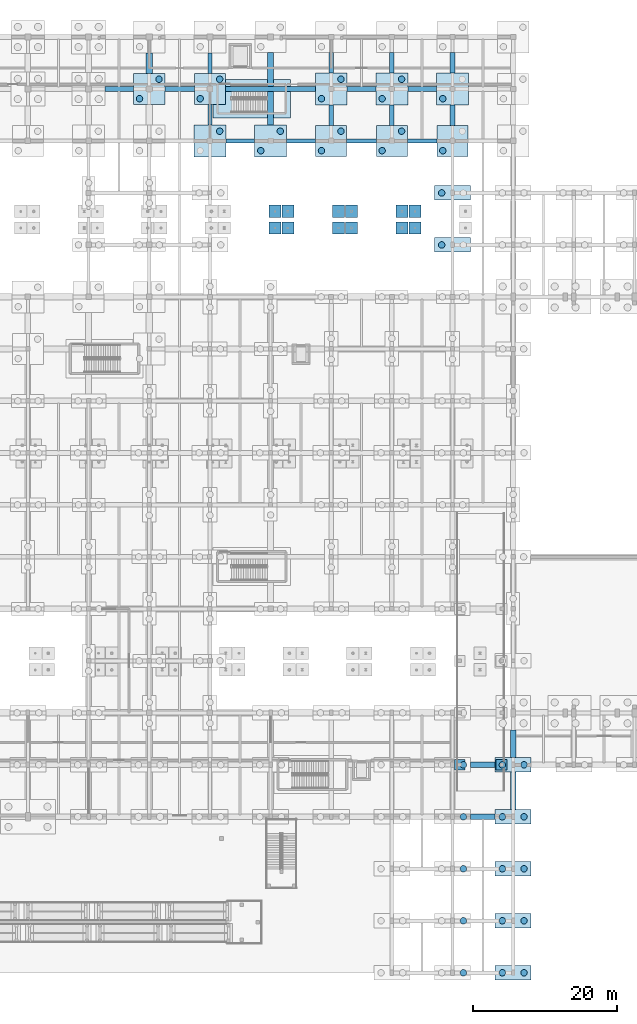
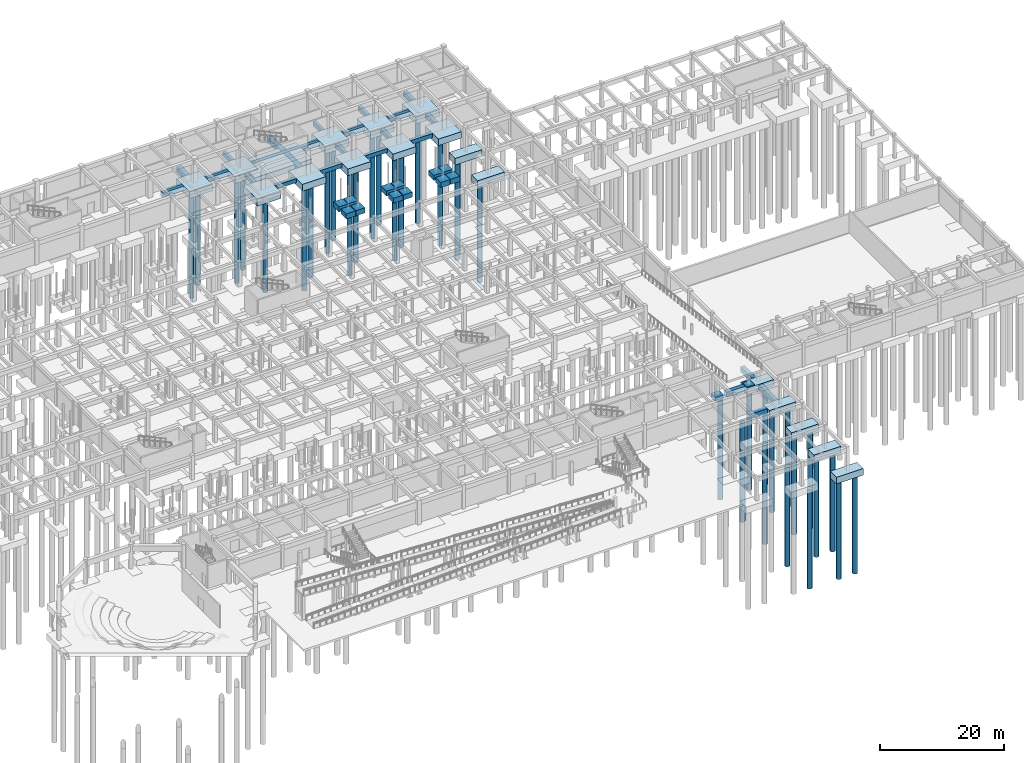
# One storey, part 12 of 80: 55 footings, 34 piles.
"""IFC4 building model written with IfcOpenShell, lengths in metres."""

from ifc_helpers import new_model, si_unit, direction, frame, origin, origin_2d, place, context, subcontext, project, spatial, polyline, rectangle, circle, outline, extrude, material, material_profile, profile_set, type_object, element, save


model = new_model("IFC4")

# Units and contexts
model_context = context("Model", 3, precision=1e-05, world=origin(), true_north=direction((0.0, 1.0)))
body_context = subcontext(model_context, "Body", "Model", "MODEL_VIEW")
ifc_project = project(units=[si_unit("LENGTHUNIT", "METRE"), si_unit("AREAUNIT", "SQUARE_METRE"), si_unit("VOLUMEUNIT", "CUBIC_METRE"), si_unit("PLANEANGLEUNIT", "RADIAN"), si_unit("MASSUNIT", "GRAM", prefix="KILO")], contexts=[model_context])

# Site, building, storey
site_placement = place(None, origin())
site = spatial("IfcSite", under=ifc_project, at=site_placement, CompositionType="ELEMENT")
building_placement = place(site_placement, origin())
building = spatial("IfcBuilding", under=site, at=building_placement, Name="Malvenik Polytechnic", CompositionType="ELEMENT")
storey_placement = place(building_placement, frame((0.0, 0.0, -4.800048828125)))
storey = spatial("IfcBuildingStorey", under=building, at=storey_placement, Name="B1", CompositionType="ELEMENT", Elevation=-4.800048828125)

# Footings
ifc_material = material(Name="Concrete C35/45", Category="concrete")
footing_type_1 = type_object("IfcFootingType", Name="STR-PC-2000x5000x1300", PredefinedType="PILE_CAP", material=ifc_material)
for number, where, z_axis, x_axis, name in (
    (1, (126.0, 100.800048828125, -1.2998046875), (0.0, 0.0, 1.0), (1.0, 0.0, 0.0), "Pile Cap PC-03 #205"),
    (2, (126.0, 108.0, -1.2998046875), (0.0, 0.0, 1.0), (1.0, 0.0, 0.0), "Pile Cap PC-03 #206"),
    (3, (134.39990234375, 0.0, -1.2998046875), (0.0, 0.0, 1.0), (1.0, 0.0, 0.0), "Pile Cap PC-03 #210"),
    (4, (134.39990234375, 7.199951171875, -1.2998046875), (0.0, 0.0, 1.0), (1.0, 0.0, 0.0), "Pile Cap PC-03 #211"),
    (5, (134.39990234375, 14.39990234375, -1.2998046875), (0.0, 0.0, 1.0), (1.0, 0.0, 0.0), "Pile Cap PC-03 #212"),
    (6, (134.39990234375, 21.60009765625, -1.2998046875), (0.0, 0.0, 1.0), (1.0, 0.0, 0.0), "Pile Cap PC-03 #213"),
    (7, (134.39990234375, 28.800048828125, -1.2998046875), (0.0, 0.0, 1.0), (1.0, 0.0, 0.0), "Pile Cap PC-03 #214"),
):
    element("IfcFooting", number, at=place(storey_placement, frame(where, z_axis=z_axis, x_axis=x_axis)), inside=storey, type_object=footing_type_1, Name=name, PredefinedType="PILE_CAP", context=body_context, shape_type="SweptSolid", body=[
        extrude(rectangle(XDim=5.0, YDim=2.0, at=origin_2d()), origin(), (0.0, 0.0, 1.0), 1.300048828125),
    ])
footing_type_2 = type_object("IfcFootingType", Name="STR-PC-COMB-35", PredefinedType="PILE_CAP", material=ifc_material)
footing_1_placement = place(storey_placement, frame((84.0, 122.39990234375, -1.2998046875), z_axis=(0.0, 0.0, 1.0), x_axis=(1.0, 0.0, 0.0)))
element("IfcFooting", 8, at=footing_1_placement, inside=storey, type_object=footing_type_2, Name="Pile Cap PCC-35 #135", PredefinedType="PILE_CAP", context=body_context, shape_type="SweptSolid", body=[
    extrude(rectangle(XDim=4.300048828125, YDim=4.300048828125, at=origin_2d()), origin(), (0.0, 0.0, 1.0), 1.300048828125),
])
footing_type_3 = type_object("IfcFootingType", Name="STR-PC-COMB-37", PredefinedType="PILE_CAP", material=ifc_material)
footing_2_placement = place(storey_placement, frame((92.39990234375, 115.199951171875, -1.35009765625), z_axis=(0.0, 0.0, 1.0), x_axis=(1.0, 0.0, 0.0)))
element("IfcFooting", 9, at=footing_2_placement, inside=storey, type_object=footing_type_3, Name="Pile Cap PCC-37 #150", PredefinedType="PILE_CAP", context=body_context, shape_type="SweptSolid", body=[
    extrude(rectangle(XDim=4.39990234375, YDim=4.39990234375, at=origin_2d()), origin(), (0.0, 0.0, 1.0), 1.35009765625),
])
footing_type_4 = type_object("IfcFootingType", Name="STR-PC-COMB-38", PredefinedType="PILE_CAP", material=ifc_material)
footing_3_placement = place(storey_placement, frame((92.39990234375, 122.39990234375, -1.2998046875), z_axis=(0.0, 0.0, 1.0), x_axis=(1.0, 0.0, 0.0)))
element("IfcFooting", 10, at=footing_3_placement, inside=storey, type_object=footing_type_4, Name="Pile Cap PCC-38 #151", PredefinedType="PILE_CAP", context=body_context, shape_type="SweptSolid", body=[
    extrude(rectangle(XDim=4.300048828125, YDim=4.300048828125, at=origin_2d()), origin(), (0.0, 0.0, 1.0), 1.300048828125),
])
footing_type_5 = type_object("IfcFootingType", Name="STR-PC-COMB-40", PredefinedType="PILE_CAP", material=ifc_material)
footing_4_placement = place(storey_placement, frame((100.800048828125, 115.199951171875, -1.35009765625), z_axis=(0.0, 0.0, 1.0), x_axis=(1.0, 0.0, 0.0)))
element("IfcFooting", 11, at=footing_4_placement, inside=storey, type_object=footing_type_5, Name="Pile Cap PCC-40 #162", PredefinedType="PILE_CAP", context=body_context, shape_type="SweptSolid", body=[
    extrude(rectangle(XDim=4.39990234375, YDim=4.39990234375, at=origin_2d()), origin(), (0.0, 0.0, 1.0), 1.35009765625),
])
footing_type_6 = type_object("IfcFootingType", Name="STR-PC-COMB-42", PredefinedType="PILE_CAP", material=ifc_material)
footing_5_placement = place(storey_placement, frame((109.199951171875, 115.199951171875, -1.2998046875), z_axis=(0.0, 0.0, 1.0), x_axis=(1.0, 0.0, 0.0)))
element("IfcFooting", 12, at=footing_5_placement, inside=storey, type_object=footing_type_6, Name="Pile Cap PCC-42 #173", PredefinedType="PILE_CAP", context=body_context, shape_type="SweptSolid", body=[
    extrude(rectangle(XDim=4.300048828125, YDim=4.300048828125, at=origin_2d()), origin(), (0.0, 0.0, 1.0), 1.300048828125),
])
footing_type_7 = type_object("IfcFootingType", Name="STR-PC-COMB-43", PredefinedType="PILE_CAP", material=ifc_material)
footing_6_placement = place(storey_placement, frame((109.199951171875, 122.39990234375, -1.35009765625), z_axis=(0.0, 0.0, 1.0), x_axis=(1.0, 0.0, 0.0)))
element("IfcFooting", 13, at=footing_6_placement, inside=storey, type_object=footing_type_7, Name="Pile Cap PCC-43 #174", PredefinedType="PILE_CAP", context=body_context, shape_type="SweptSolid", body=[
    extrude(rectangle(XDim=4.39990234375, YDim=4.39990234375, at=origin_2d()), origin(), (0.0, 0.0, 1.0), 1.35009765625),
])
footing_type_8 = type_object("IfcFootingType", Name="STR-PC-COMB-45", PredefinedType="PILE_CAP", material=ifc_material)
footing_7_placement = place(storey_placement, frame((117.60009765625, 115.199951171875, -1.2998046875), z_axis=(0.0, 0.0, 1.0), x_axis=(1.0, 0.0, 0.0)))
element("IfcFooting", 14, at=footing_7_placement, inside=storey, type_object=footing_type_8, Name="Pile Cap PCC-45 #189", PredefinedType="PILE_CAP", context=body_context, shape_type="SweptSolid", body=[
    extrude(rectangle(XDim=4.300048828125, YDim=4.300048828125, at=origin_2d()), origin(), (0.0, 0.0, 1.0), 1.300048828125),
])
footing_type_9 = type_object("IfcFootingType", Name="STR-PC-COMB-46", PredefinedType="PILE_CAP", material=ifc_material)
footing_8_placement = place(storey_placement, frame((117.60009765625, 122.39990234375, -1.35009765625), z_axis=(0.0, 0.0, 1.0), x_axis=(1.0, 0.0, 0.0)))
element("IfcFooting", 15, at=footing_8_placement, inside=storey, type_object=footing_type_9, Name="Pile Cap PCC-46 #190", PredefinedType="PILE_CAP", context=body_context, shape_type="SweptSolid", body=[
    extrude(rectangle(XDim=4.39990234375, YDim=4.39990234375, at=origin_2d()), origin(), (0.0, 0.0, 1.0), 1.35009765625),
])
footing_type_10 = type_object("IfcFootingType", Name="STR-PC-COMB-48", PredefinedType="PILE_CAP", material=ifc_material)
footing_9_placement = place(storey_placement, frame((126.0, 115.199951171875, -1.2998046875), z_axis=(0.0, 0.0, 1.0), x_axis=(1.0, 0.0, 0.0)))
element("IfcFooting", 16, at=footing_9_placement, inside=storey, type_object=footing_type_10, Name="Pile Cap PCC-48 #207", PredefinedType="PILE_CAP", context=body_context, shape_type="SweptSolid", body=[
    extrude(rectangle(XDim=4.300048828125, YDim=4.300048828125, at=origin_2d()), origin(), (0.0, 0.0, 1.0), 1.300048828125),
])
footing_type_11 = type_object("IfcFootingType", Name="STR-PC-COMB-49", PredefinedType="PILE_CAP", material=ifc_material)
footing_10_placement = place(storey_placement, frame((126.0, 122.39990234375, -1.35009765625), z_axis=(0.0, 0.0, 1.0), x_axis=(1.0, 0.0, 0.0)))
element("IfcFooting", 17, at=footing_10_placement, inside=storey, type_object=footing_type_11, Name="Pile Cap PCC-49 #208", PredefinedType="PILE_CAP", context=body_context, shape_type="SweptSolid", body=[
    extrude(rectangle(XDim=4.39990234375, YDim=4.39990234375, at=origin_2d()), origin(), (0.0, 0.0, 1.0), 1.35009765625),
])

# Piles
ifc_material_profile_1 = material_profile(ifc_material, circle(Radius=0.449951171875, at=origin_2d()), Name="BORED PILE D900")
ifc_profile_set_1 = profile_set([ifc_material_profile_1], Name="Concrete C35/45")
pile_type_1 = type_object("IfcPileType", Name="STR-PL-D900-195", PredefinedType="BORED", material=ifc_profile_set_1)
for number, where, z_axis, x_axis, name in (
    (18, (127.5, 0.0, -1.199951171875), (0.0, 0.0, -1.0), (1.0, 0.0, 0.0), "Bored Pile PL-01 #424"),
    (19, (127.5, 7.199951171875, -1.199951171875), (0.0, 0.0, -1.0), (1.0, 0.0, 0.0), "Bored Pile PL-01 #426"),
    (20, (127.5, 14.39990234375, -1.199951171875), (0.0, 0.0, -1.0), (1.0, 0.0, 0.0), "Bored Pile PL-01 #428"),
    (21, (127.5, 21.60009765625, -1.199951171875), (0.0, 0.0, -1.0), (1.0, 0.0, 0.0), "Bored Pile PL-01 #430"),
    (22, (127.5, 28.800048828125, -1.199951171875), (0.0, 0.0, -1.0), (1.0, 0.0, 0.0), "Bored Pile PL-01 #432"),
    (23, (124.5, 100.800048828125, -1.199951171875), (0.0, 0.0, -1.0), (1.0, 0.0, 0.0), "Bored Pile PL-01 #449"),
    (24, (124.5, 108.0, -1.199951171875), (0.0, 0.0, -1.0), (1.0, 0.0, 0.0), "Bored Pile PL-01 #451"),
    (25, (132.89990234375, 0.0, -1.199951171875), (0.0, 0.0, -1.0), (1.0, 0.0, 0.0), "Bored Pile PL-01 #459"),
    (26, (135.89990234375, 0.0, -1.199951171875), (0.0, 0.0, -1.0), (1.0, 0.0, 0.0), "Bored Pile PL-01 #460"),
    (27, (132.89990234375, 7.199951171875, -1.199951171875), (0.0, 0.0, -1.0), (1.0, 0.0, 0.0), "Bored Pile PL-01 #461"),
    (28, (135.89990234375, 7.199951171875, -1.199951171875), (0.0, 0.0, -1.0), (1.0, 0.0, 0.0), "Bored Pile PL-01 #462"),
    (29, (132.89990234375, 14.39990234375, -1.199951171875), (0.0, 0.0, -1.0), (1.0, 0.0, 0.0), "Bored Pile PL-01 #463"),
    (30, (135.89990234375, 14.39990234375, -1.199951171875), (0.0, 0.0, -1.0), (1.0, 0.0, 0.0), "Bored Pile PL-01 #464"),
    (31, (132.89990234375, 21.60009765625, -1.199951171875), (0.0, 0.0, -1.0), (1.0, 0.0, 0.0), "Bored Pile PL-01 #465"),
    (32, (135.89990234375, 21.60009765625, -1.199951171875), (0.0, 0.0, -1.0), (1.0, 0.0, 0.0), "Bored Pile PL-01 #466"),
    (33, (132.89990234375, 28.800048828125, -1.199951171875), (0.0, 0.0, -1.0), (1.0, 0.0, 0.0), "Bored Pile PL-01 #467"),
    (34, (135.89990234375, 28.800048828125, -1.199951171875), (0.0, 0.0, -1.0), (1.0, 0.0, 0.0), "Bored Pile PL-01 #468"),
):
    element("IfcPile", number, at=place(storey_placement, frame(where, z_axis=z_axis, x_axis=x_axis)), inside=storey, type_object=pile_type_1, Name=name, PredefinedType="BORED", context=body_context, shape_type="SweptSolid", body=[
        extrude(circle(Radius=0.449951171875, at=origin_2d()), origin(), (0.0, 0.0, 1.0), 19.5),
    ])
ifc_material_profile_2 = material_profile(ifc_material, circle(Radius=0.449951171875, at=origin_2d()), Name="BORED PILE D900")
ifc_profile_set_2 = profile_set([ifc_material_profile_2], Name="Concrete C35/45")
pile_type_2 = type_object("IfcPileType", Name="STR-PL-D900-202", PredefinedType="BORED", material=ifc_profile_set_2)
for number, where, z_axis, x_axis, name in (
    (35, (82.64990234375, 121.050048828125, -1.199951171875), (0.0, 0.0, -1.0), (1.0, 0.0, 0.0), "Bored Pile PL-03 #309"),
    (36, (85.35009765625, 123.75, -1.199951171875), (0.0, 0.0, -1.0), (1.0, 0.0, 0.0), "Bored Pile PL-03 #310"),
    (37, (93.75, 116.550048828125, -1.25), (0.0, 0.0, -1.0), (1.0, 0.0, 0.0), "Bored Pile PL-03 #340"),
    (38, (91.050048828125, 121.050048828125, -1.199951171875), (0.0, 0.0, -1.0), (1.0, 0.0, 0.0), "Bored Pile PL-03 #341"),
    (39, (93.75, 123.75, -1.199951171875), (0.0, 0.0, -1.0), (1.0, 0.0, 0.0), "Bored Pile PL-03 #342"),
    (40, (99.449951171875, 113.85009765625, -1.25), (0.0, 0.0, -1.0), (1.0, 0.0, 0.0), "Bored Pile PL-03 #363"),
    (41, (102.14990234375, 116.550048828125, -1.25), (0.0, 0.0, -1.0), (1.0, 0.0, 0.0), "Bored Pile PL-03 #364"),
    (42, (107.85009765625, 113.85009765625, -1.199951171875), (0.0, 0.0, -1.0), (1.0, 0.0, 0.0), "Bored Pile PL-03 #385"),
    (43, (110.550048828125, 116.550048828125, -1.199951171875), (0.0, 0.0, -1.0), (1.0, 0.0, 0.0), "Bored Pile PL-03 #386"),
    (44, (107.85009765625, 121.050048828125, -1.25), (0.0, 0.0, -1.0), (1.0, 0.0, 0.0), "Bored Pile PL-03 #387"),
    (45, (110.550048828125, 123.75, -1.25), (0.0, 0.0, -1.0), (1.0, 0.0, 0.0), "Bored Pile PL-03 #388"),
    (46, (116.25, 113.85009765625, -1.199951171875), (0.0, 0.0, -1.0), (1.0, 0.0, 0.0), "Bored Pile PL-03 #417"),
    (47, (118.949951171875, 116.550048828125, -1.199951171875), (0.0, 0.0, -1.0), (1.0, 0.0, 0.0), "Bored Pile PL-03 #418"),
    (48, (116.25, 121.050048828125, -1.25), (0.0, 0.0, -1.0), (1.0, 0.0, 0.0), "Bored Pile PL-03 #419"),
    (49, (118.949951171875, 123.75, -1.25), (0.0, 0.0, -1.0), (1.0, 0.0, 0.0), "Bored Pile PL-03 #420"),
    (50, (124.64990234375, 113.85009765625, -1.199951171875), (0.0, 0.0, -1.0), (1.0, 0.0, 0.0), "Bored Pile PL-03 #453"),
    (51, (124.64990234375, 121.050048828125, -1.25), (0.0, 0.0, -1.0), (1.0, 0.0, 0.0), "Bored Pile PL-03 #455"),
):
    element("IfcPile", number, at=place(storey_placement, frame(where, z_axis=z_axis, x_axis=x_axis)), inside=storey, type_object=pile_type_2, Name=name, PredefinedType="BORED", context=body_context, shape_type="SweptSolid", body=[
        extrude(circle(Radius=0.449951171875, at=origin_2d()), origin(), (0.0, 0.0, 1.0), 20.199951171875),
    ])

# Footings
footing_type_12 = type_object("IfcFootingType", Name="STR-SF-550x750", PredefinedType="STRIP_FOOTING", material=ifc_material)
footing_11_placement = place(storey_placement, frame((0.0, 0.0, -0.75)))
element("IfcFooting", 52, at=footing_11_placement, inside=storey, type_object=footing_type_12, Name="Ground Tie Beam SF-07 #263", PredefinedType="STRIP_FOOTING", context=body_context, shape_type="SweptSolid", body=[
    extrude(outline(polyline([(92.125, 117.39990234375), (92.675048828125, 117.39990234375), (92.675048828125, 120.25), (92.125, 120.25), (92.125, 117.39990234375)])), origin(), (0.0, 0.0, 1.0), 0.75),
])
footing_12_placement = place(storey_placement, frame((0.0, 0.0, -0.75)))
element("IfcFooting", 53, at=footing_12_placement, inside=storey, type_object=footing_type_12, Name="Ground Tie Beam SF-07 #264", PredefinedType="STRIP_FOOTING", context=body_context, shape_type="SweptSolid", body=[
    extrude(outline(polyline([(92.125, 124.550048828125), (92.675048828125, 124.550048828125), (92.675048828125, 127.39990234375), (92.125, 127.39990234375), (92.125, 124.550048828125)])), origin(), (0.0, 0.0, 1.0), 0.75),
])
footing_type_13 = type_object("IfcFootingType", Name="STR-SF-600x800", PredefinedType="STRIP_FOOTING", material=ifc_material)
footing_13_placement = place(storey_placement, frame((0.0, 0.0, -0.800048828125)))
element("IfcFooting", 54, at=footing_13_placement, inside=storey, type_object=footing_type_13, Name="Ground Tie Beam SF-01 #140", PredefinedType="STRIP_FOOTING", context=body_context, shape_type="SweptSolid", body=[
    extrude(outline(polyline([(94.60009765625, 114.89990234375), (98.60009765625, 114.89990234375), (98.60009765625, 115.5), (94.60009765625, 115.5), (94.60009765625, 114.89990234375)])), origin(), (0.0, 0.0, 1.0), 0.800048828125),
])
footing_14_placement = place(storey_placement, frame((0.0, 0.0, -0.800048828125)))
element("IfcFooting", 55, at=footing_14_placement, inside=storey, type_object=footing_type_13, Name="Ground Tie Beam SF-01 #141", PredefinedType="STRIP_FOOTING", context=body_context, shape_type="SweptSolid", body=[
    extrude(outline(polyline([(103.0, 114.89990234375), (107.050048828125, 114.89990234375), (107.050048828125, 115.5), (103.0, 115.5), (103.0, 114.89990234375)])), origin(), (0.0, 0.0, 1.0), 0.800048828125),
])
footing_15_placement = place(storey_placement, frame((0.0, 0.0, -0.800048828125)))
element("IfcFooting", 56, at=footing_15_placement, inside=storey, type_object=footing_type_13, Name="Ground Tie Beam SF-01 #142", PredefinedType="STRIP_FOOTING", context=body_context, shape_type="SweptSolid", body=[
    extrude(outline(polyline([(111.35009765625, 114.89990234375), (115.449951171875, 114.89990234375), (115.449951171875, 115.5), (111.35009765625, 115.5), (111.35009765625, 114.89990234375)])), origin(), (0.0, 0.0, 1.0), 0.800048828125),
])
footing_16_placement = place(storey_placement, frame((0.0, 0.0, -0.800048828125)))
element("IfcFooting", 57, at=footing_16_placement, inside=storey, type_object=footing_type_13, Name="Ground Tie Beam SF-01 #143", PredefinedType="STRIP_FOOTING", context=body_context, shape_type="SweptSolid", body=[
    extrude(outline(polyline([(119.75, 114.89990234375), (123.85009765625, 114.89990234375), (123.85009765625, 115.5), (119.75, 115.5), (119.75, 114.89990234375)])), origin(), (0.0, 0.0, 1.0), 0.800048828125),
])
footing_17_placement = place(storey_placement, frame((0.0, 0.0, -0.800048828125)))
element("IfcFooting", 58, at=footing_17_placement, inside=storey, type_object=footing_type_13, Name="Ground Tie Beam SF-01 #280", PredefinedType="STRIP_FOOTING", context=body_context, shape_type="SweptSolid", body=[
    extrude(outline(polyline([(108.89990234375, 117.35009765625), (109.5, 117.35009765625), (109.5, 120.199951171875), (108.89990234375, 120.199951171875), (108.89990234375, 117.35009765625)])), origin(), (0.0, 0.0, 1.0), 0.800048828125),
])
footing_18_placement = place(storey_placement, frame((0.0, 0.0, -0.800048828125)))
element("IfcFooting", 59, at=footing_18_placement, inside=storey, type_object=footing_type_13, Name="Ground Tie Beam SF-01 #281", PredefinedType="STRIP_FOOTING", context=body_context, shape_type="SweptSolid", body=[
    extrude(outline(polyline([(108.89990234375, 124.60009765625), (109.5, 124.60009765625), (109.5, 127.449951171875), (108.89990234375, 127.449951171875), (108.89990234375, 124.60009765625)])), origin(), (0.0, 0.0, 1.0), 0.800048828125),
])
footing_type_14 = type_object("IfcFootingType", Name="STR-SF-650x850", PredefinedType="STRIP_FOOTING", material=ifc_material)
footing_19_placement = place(storey_placement, frame((0.0, 0.0, -0.849853515625)))
element("IfcFooting", 60, at=footing_19_placement, inside=storey, type_object=footing_type_14, Name="Ground Tie Beam SF-02 #152", PredefinedType="STRIP_FOOTING", context=body_context, shape_type="SweptSolid", body=[
    extrude(outline(polyline([(77.89990234375, 122.074951171875), (81.85009765625, 122.074951171875), (81.85009765625, 122.72509765625), (77.89990234375, 122.72509765625), (77.89990234375, 122.074951171875)])), origin(), (0.0, 0.0, 1.0), 0.849853515625),
])
footing_20_placement = place(storey_placement, frame((0.0, 0.0, -0.849853515625)))
element("IfcFooting", 61, at=footing_20_placement, inside=storey, type_object=footing_type_14, Name="Ground Tie Beam SF-02 #153", PredefinedType="STRIP_FOOTING", context=body_context, shape_type="SweptSolid", body=[
    extrude(outline(polyline([(86.14990234375, 122.074951171875), (90.25, 122.074951171875), (90.25, 122.72509765625), (86.14990234375, 122.72509765625), (86.14990234375, 122.074951171875)])), origin(), (0.0, 0.0, 1.0), 0.849853515625),
])
footing_21_placement = place(storey_placement, frame((0.0, 0.0, -0.849853515625)))
element("IfcFooting", 62, at=footing_21_placement, inside=storey, type_object=footing_type_14, Name="Ground Tie Beam SF-02 #154", PredefinedType="STRIP_FOOTING", context=body_context, shape_type="SweptSolid", body=[
    extrude(outline(polyline([(94.550048828125, 122.074951171875), (107.0, 122.074951171875), (107.0, 122.72509765625), (94.550048828125, 122.72509765625), (94.550048828125, 122.074951171875)])), origin(), (0.0, 0.0, 1.0), 0.849853515625),
])
footing_22_placement = place(storey_placement, frame((0.0, 0.0, -0.849853515625)))
element("IfcFooting", 63, at=footing_22_placement, inside=storey, type_object=footing_type_14, Name="Ground Tie Beam SF-02 #155", PredefinedType="STRIP_FOOTING", context=body_context, shape_type="SweptSolid", body=[
    extrude(outline(polyline([(111.39990234375, 122.074951171875), (115.39990234375, 122.074951171875), (115.39990234375, 122.72509765625), (111.39990234375, 122.72509765625), (111.39990234375, 122.074951171875)])), origin(), (0.0, 0.0, 1.0), 0.849853515625),
])
footing_23_placement = place(storey_placement, frame((0.0, 0.0, -0.849853515625)))
element("IfcFooting", 64, at=footing_23_placement, inside=storey, type_object=footing_type_14, Name="Ground Tie Beam SF-02 #156", PredefinedType="STRIP_FOOTING", context=body_context, shape_type="SweptSolid", body=[
    extrude(outline(polyline([(119.800048828125, 122.074951171875), (123.800048828125, 122.074951171875), (123.800048828125, 122.72509765625), (119.800048828125, 122.72509765625), (119.800048828125, 122.074951171875)])), origin(), (0.0, 0.0, 1.0), 0.849853515625),
])
footing_24_placement = place(storey_placement, frame((0.0, 0.0, -0.849853515625)))
element("IfcFooting", 65, at=footing_24_placement, inside=storey, type_object=footing_type_14, Name="Ground Tie Beam SF-02 #290", PredefinedType="STRIP_FOOTING", context=body_context, shape_type="SweptSolid", body=[
    extrude(outline(polyline([(117.27490234375, 117.35009765625), (117.925048828125, 117.35009765625), (117.925048828125, 120.199951171875), (117.27490234375, 120.199951171875), (117.27490234375, 117.35009765625)])), origin(), (0.0, 0.0, 1.0), 0.849853515625),
])
footing_25_placement = place(storey_placement, frame((0.0, 0.0, -0.849853515625)))
element("IfcFooting", 66, at=footing_25_placement, inside=storey, type_object=footing_type_14, Name="Ground Tie Beam SF-02 #291", PredefinedType="STRIP_FOOTING", context=body_context, shape_type="SweptSolid", body=[
    extrude(outline(polyline([(117.27490234375, 124.60009765625), (117.925048828125, 124.60009765625), (117.925048828125, 127.449951171875), (117.27490234375, 127.449951171875), (117.27490234375, 124.60009765625)])), origin(), (0.0, 0.0, 1.0), 0.849853515625),
])
footing_type_15 = type_object("IfcFootingType", Name="STR-SF-700x900", PredefinedType="STRIP_FOOTING", material=ifc_material)
footing_26_placement = place(storey_placement, frame((0.0, 0.0, -0.89990234375)))
element("IfcFooting", 67, at=footing_26_placement, inside=storey, type_object=footing_type_15, Name="Ground Tie Beam SF-03 #300", PredefinedType="STRIP_FOOTING", context=body_context, shape_type="SweptSolid", body=[
    extrude(outline(polyline([(125.64990234375, 117.35009765625), (126.35009765625, 117.35009765625), (126.35009765625, 120.199951171875), (125.64990234375, 120.199951171875), (125.64990234375, 117.35009765625)])), origin(), (0.0, 0.0, 1.0), 0.89990234375),
])
footing_27_placement = place(storey_placement, frame((0.0, 0.0, -0.89990234375)))
element("IfcFooting", 68, at=footing_27_placement, inside=storey, type_object=footing_type_15, Name="Ground Tie Beam SF-03 #301", PredefinedType="STRIP_FOOTING", context=body_context, shape_type="SweptSolid", body=[
    extrude(outline(polyline([(125.64990234375, 124.60009765625), (126.35009765625, 124.60009765625), (126.35009765625, 127.449951171875), (125.64990234375, 127.449951171875), (125.64990234375, 124.60009765625)])), origin(), (0.0, 0.0, 1.0), 0.89990234375),
])
footing_type_16 = type_object("IfcFootingType", Name="STR-SF-750x950", PredefinedType="STRIP_FOOTING", material=ifc_material)
footing_28_placement = place(storey_placement, frame((0.0, 0.0, -0.949951171875)))
element("IfcFooting", 69, at=footing_28_placement, inside=storey, type_object=footing_type_16, Name="Ground Tie Beam SF-04 #11", PredefinedType="STRIP_FOOTING", context=body_context, shape_type="SweptSolid", body=[
    extrude(outline(polyline([(128.5, 21.22509765625), (131.89990234375, 21.22509765625), (131.89990234375, 21.97509765625), (128.5, 21.97509765625), (128.5, 21.22509765625)])), origin(), (0.0, 0.0, 1.0), 0.949951171875),
])
footing_29_placement = place(storey_placement, frame((0.0, 0.0, -0.949951171875)))
element("IfcFooting", 70, at=footing_29_placement, inside=storey, type_object=footing_type_16, Name="Ground Tie Beam SF-04 #302", PredefinedType="STRIP_FOOTING", context=body_context, shape_type="SweptSolid", body=[
    extrude(outline(polyline([(134.02490234375, 22.60009765625), (134.77490234375, 22.60009765625), (134.77490234375, 27.800048828125), (134.02490234375, 27.800048828125), (134.02490234375, 22.60009765625)])), origin(), (0.0, 0.0, 1.0), 0.949951171875),
])
footing_30_placement = place(storey_placement, frame((0.0, 0.0, -0.949951171875)))
element("IfcFooting", 71, at=footing_30_placement, inside=storey, type_object=footing_type_16, Name="Ground Tie Beam SF-04 #303", PredefinedType="STRIP_FOOTING", context=body_context, shape_type="SweptSolid", body=[
    extrude(outline(polyline([(134.02490234375, 29.800048828125), (134.77490234375, 29.800048828125), (134.77490234375, 33.60009765625), (134.02490234375, 33.60009765625), (134.02490234375, 29.800048828125)])), origin(), (0.0, 0.0, 1.0), 0.949951171875),
])
footing_type_17 = type_object("IfcFootingType", Name="STR-SF-800x1000", PredefinedType="STRIP_FOOTING", material=ifc_material)
footing_31_placement = place(storey_placement, frame((0.0, 0.0, -1.0)))
element("IfcFooting", 72, at=footing_31_placement, inside=storey, type_object=footing_type_17, Name="Ground Tie Beam SF-05 #23", PredefinedType="STRIP_FOOTING", context=body_context, shape_type="SweptSolid", body=[
    extrude(outline(polyline([(128.5, 28.39990234375), (131.89990234375, 28.39990234375), (131.89990234375, 29.199951171875), (128.5, 29.199951171875), (128.5, 28.39990234375)])), origin(), (0.0, 0.0, 1.0), 1.0),
])
for number, where, z_axis, x_axis, name in (
    (73, (127.0, 28.800048828125, -0.7998046875), (0.0, 0.0, 1.0), (1.0, 0.0, 0.0), "Vehicle Ramp Pier Footing (127.0,28.8)"),
    (74, (132.800048828125, 28.800048828125, -0.7998046875), (0.0, 0.0, 1.0), (1.0, 0.0, 0.0), "Vehicle Ramp Pier Footing (132.8,28.8)"),
):
    element("IfcFooting", number, at=place(storey_placement, frame(where, z_axis=z_axis, x_axis=x_axis)), inside=storey, type_object=footing_type_17, Name=name, PredefinedType="STRIP_FOOTING", context=body_context, shape_type="SweptSolid", body=[
        extrude(rectangle(XDim=1.5, YDim=1.5, at=origin_2d()), origin(), (0.0, 0.0, 1.0), 0.800048828125),
    ])
footing_32_placement = place(storey_placement, frame((0.0, 0.0, -1.0)))
element("IfcFooting", 75, at=footing_32_placement, inside=storey, type_object=footing_type_17, Name="Bridge-Ramp Pier Footing #131.1", PredefinedType="STRIP_FOOTING", context=body_context, shape_type="SweptSolid", body=[
    extrude(outline(polyline([(100.550048828125, 102.300048828125), (100.550048828125, 104.0), (102.25, 104.0), (102.25, 102.300048828125), (100.550048828125, 102.300048828125)])), origin(), (0.0, 0.0, 1.0), 1.0),
])
footing_33_placement = place(storey_placement, frame((0.0, 0.0, -1.0)))
element("IfcFooting", 76, at=footing_33_placement, inside=storey, type_object=footing_type_17, Name="Bridge-Ramp Pier Footing #132.1", PredefinedType="STRIP_FOOTING", context=body_context, shape_type="SweptSolid", body=[
    extrude(outline(polyline([(100.550048828125, 104.60009765625), (100.550048828125, 106.300048828125), (102.25, 106.300048828125), (102.25, 104.60009765625), (100.550048828125, 104.60009765625)])), origin(), (0.0, 0.0, 1.0), 1.0),
])
footing_34_placement = place(storey_placement, frame((0.0, 0.0, -1.0)))
element("IfcFooting", 77, at=footing_34_placement, inside=storey, type_object=footing_type_17, Name="Bridge-Ramp Pier Footing #133.1", PredefinedType="STRIP_FOOTING", context=body_context, shape_type="SweptSolid", body=[
    extrude(outline(polyline([(102.35009765625, 102.300048828125), (102.35009765625, 104.0), (104.050048828125, 104.0), (104.050048828125, 102.300048828125), (102.35009765625, 102.300048828125)])), origin(), (0.0, 0.0, 1.0), 1.0),
])
footing_35_placement = place(storey_placement, frame((0.0, 0.0, -1.0)))
element("IfcFooting", 78, at=footing_35_placement, inside=storey, type_object=footing_type_17, Name="Bridge-Ramp Pier Footing #134.1", PredefinedType="STRIP_FOOTING", context=body_context, shape_type="SweptSolid", body=[
    extrude(outline(polyline([(102.35009765625, 104.60009765625), (102.35009765625, 106.300048828125), (104.050048828125, 106.300048828125), (104.050048828125, 104.60009765625), (102.35009765625, 104.60009765625)])), origin(), (0.0, 0.0, 1.0), 1.0),
])
footing_36_placement = place(storey_placement, frame((0.0, 0.0, -1.0)))
element("IfcFooting", 79, at=footing_36_placement, inside=storey, type_object=footing_type_17, Name="Bridge-Ramp Pier Footing #135.1", PredefinedType="STRIP_FOOTING", context=body_context, shape_type="SweptSolid", body=[
    extrude(outline(polyline([(109.35009765625, 102.300048828125), (109.35009765625, 104.0), (111.050048828125, 104.0), (111.050048828125, 102.300048828125), (109.35009765625, 102.300048828125)])), origin(), (0.0, 0.0, 1.0), 1.0),
])
footing_37_placement = place(storey_placement, frame((0.0, 0.0, -1.0)))
element("IfcFooting", 80, at=footing_37_placement, inside=storey, type_object=footing_type_17, Name="Bridge-Ramp Pier Footing #136.1", PredefinedType="STRIP_FOOTING", context=body_context, shape_type="SweptSolid", body=[
    extrude(outline(polyline([(109.35009765625, 104.60009765625), (109.35009765625, 106.300048828125), (111.050048828125, 106.300048828125), (111.050048828125, 104.60009765625), (109.35009765625, 104.60009765625)])), origin(), (0.0, 0.0, 1.0), 1.0),
])
footing_38_placement = place(storey_placement, frame((0.0, 0.0, -1.0)))
element("IfcFooting", 81, at=footing_38_placement, inside=storey, type_object=footing_type_17, Name="Bridge-Ramp Pier Footing #137.1", PredefinedType="STRIP_FOOTING", context=body_context, shape_type="SweptSolid", body=[
    extrude(outline(polyline([(111.14990234375, 102.300048828125), (111.14990234375, 104.0), (112.85009765625, 104.0), (112.85009765625, 102.300048828125), (111.14990234375, 102.300048828125)])), origin(), (0.0, 0.0, 1.0), 1.0),
])
footing_39_placement = place(storey_placement, frame((0.0, 0.0, -1.0)))
element("IfcFooting", 82, at=footing_39_placement, inside=storey, type_object=footing_type_17, Name="Bridge-Ramp Pier Footing #138.1", PredefinedType="STRIP_FOOTING", context=body_context, shape_type="SweptSolid", body=[
    extrude(outline(polyline([(111.14990234375, 104.60009765625), (111.14990234375, 106.300048828125), (112.85009765625, 106.300048828125), (112.85009765625, 104.60009765625), (111.14990234375, 104.60009765625)])), origin(), (0.0, 0.0, 1.0), 1.0),
])
footing_40_placement = place(storey_placement, frame((0.0, 0.0, -1.0)))
element("IfcFooting", 83, at=footing_40_placement, inside=storey, type_object=footing_type_17, Name="Bridge-Ramp Pier Footing #139.1", PredefinedType="STRIP_FOOTING", context=body_context, shape_type="SweptSolid", body=[
    extrude(outline(polyline([(118.14990234375, 102.300048828125), (118.14990234375, 104.0), (119.85009765625, 104.0), (119.85009765625, 102.300048828125), (118.14990234375, 102.300048828125)])), origin(), (0.0, 0.0, 1.0), 1.0),
])
footing_41_placement = place(storey_placement, frame((0.0, 0.0, -1.0)))
element("IfcFooting", 84, at=footing_41_placement, inside=storey, type_object=footing_type_17, Name="Bridge-Ramp Pier Footing #140.1", PredefinedType="STRIP_FOOTING", context=body_context, shape_type="SweptSolid", body=[
    extrude(outline(polyline([(118.14990234375, 104.60009765625), (118.14990234375, 106.300048828125), (119.85009765625, 106.300048828125), (119.85009765625, 104.60009765625), (118.14990234375, 104.60009765625)])), origin(), (0.0, 0.0, 1.0), 1.0),
])
footing_42_placement = place(storey_placement, frame((0.0, 0.0, -1.0)))
element("IfcFooting", 85, at=footing_42_placement, inside=storey, type_object=footing_type_17, Name="Bridge-Ramp Pier Footing #141.1", PredefinedType="STRIP_FOOTING", context=body_context, shape_type="SweptSolid", body=[
    extrude(outline(polyline([(119.949951171875, 102.300048828125), (119.949951171875, 104.0), (121.64990234375, 104.0), (121.64990234375, 102.300048828125), (119.949951171875, 102.300048828125)])), origin(), (0.0, 0.0, 1.0), 1.0),
])
footing_43_placement = place(storey_placement, frame((0.0, 0.0, -1.0)))
element("IfcFooting", 86, at=footing_43_placement, inside=storey, type_object=footing_type_17, Name="Bridge-Ramp Pier Footing #142.1", PredefinedType="STRIP_FOOTING", context=body_context, shape_type="SweptSolid", body=[
    extrude(outline(polyline([(119.949951171875, 104.60009765625), (119.949951171875, 106.300048828125), (121.64990234375, 106.300048828125), (121.64990234375, 104.60009765625), (119.949951171875, 104.60009765625)])), origin(), (0.0, 0.0, 1.0), 1.0),
])
footing_type_18 = type_object("IfcFootingType", Name="STR-SF-850x1050", PredefinedType="STRIP_FOOTING", material=ifc_material)
footing_44_placement = place(storey_placement, frame((0.0, 0.0, -1.050048828125)))
element("IfcFooting", 87, at=footing_44_placement, inside=storey, type_object=footing_type_18, Name="Ground Tie Beam SF-08 #272", PredefinedType="STRIP_FOOTING", context=body_context, shape_type="SweptSolid", body=[
    extrude(outline(polyline([(100.375, 117.39990234375), (101.22509765625, 117.39990234375), (101.22509765625, 127.449951171875), (100.375, 127.449951171875), (100.375, 117.39990234375)])), origin(), (0.0, 0.0, 1.0), 1.050048828125),
])
footing_type_19 = type_object("IfcFootingType", Name="STR-SF-900x1100", PredefinedType="STRIP_FOOTING", material=ifc_material)
footing_45_placement = place(storey_placement, frame((0.0, 0.0, -1.099853515625)))
element("IfcFooting", 88, at=footing_45_placement, inside=storey, type_object=footing_type_19, Name="Ground Tie Beam SF-06 #252", PredefinedType="STRIP_FOOTING", context=body_context, shape_type="SweptSolid", body=[
    extrude(outline(polyline([(83.550048828125, 124.550048828125), (84.449951171875, 124.550048828125), (84.449951171875, 127.39990234375), (83.550048828125, 127.39990234375), (83.550048828125, 124.550048828125)])), origin(), (0.0, 0.0, 1.0), 1.099853515625),
])
footing_46_placement = place(storey_placement, frame((0.0, 0.0, -1.099853515625)))
element("IfcFooting", 89, at=footing_46_placement, inside=storey, type_object=footing_type_19, Name="Core Wall Strip Footing #325", PredefinedType="STRIP_FOOTING", context=body_context, shape_type="SweptSolid", body=[
    extrude(outline(polyline([(103.550048828125, 123.699951171875), (103.550048828125, 118.39990234375), (92.85009765625, 118.39990234375), (92.85009765625, 120.219970703125), (94.550048828125, 120.219970703125), (94.552978515625, 120.22021484375), (94.555908203125, 120.220703125), (94.55859375, 120.22119140625), (94.5615234375, 120.222412109375), (94.564208984375, 120.223388671875), (94.566650390625, 120.22509765625), (94.569091796875, 120.226806640625), (94.5712890625, 120.228759765625), (94.5732421875, 120.23095703125), (94.574951171875, 120.2333984375), (94.576416015625, 120.23583984375), (94.57763671875, 120.238525390625), (94.57861328125, 120.2412109375), (94.579345703125, 120.244140625), (94.579833984375, 120.2470703125), (94.580078125, 120.25), (94.580078125, 123.699951171875), (103.550048828125, 123.699951171875)])), origin(), (0.0, 0.0, 1.0), 1.099853515625),
])

save(model, "model.ifc")
